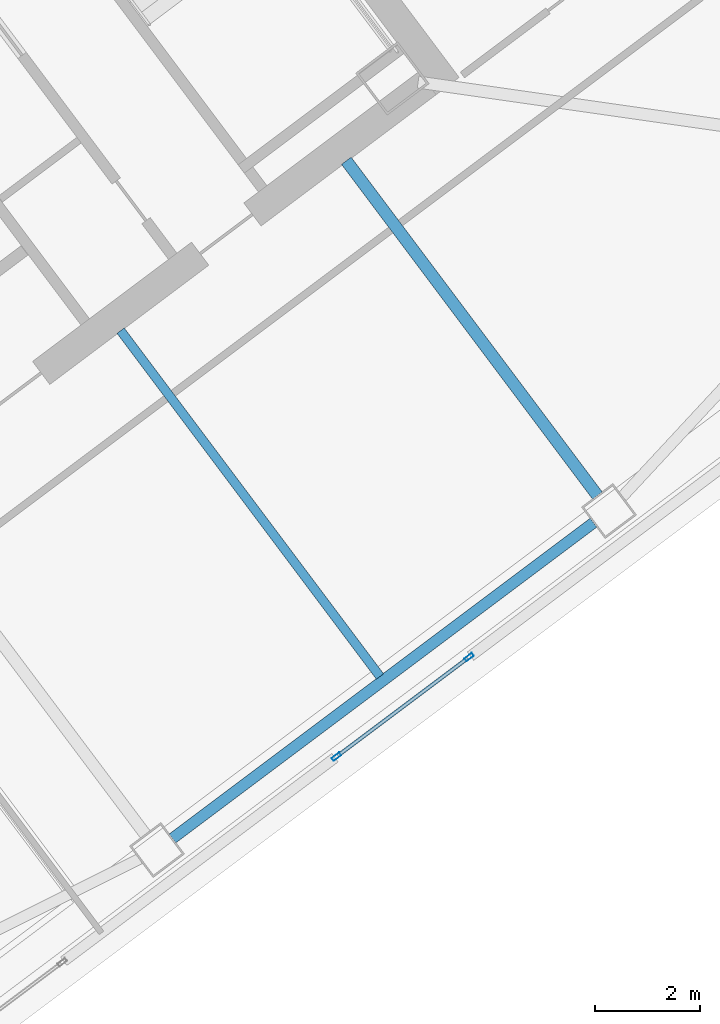
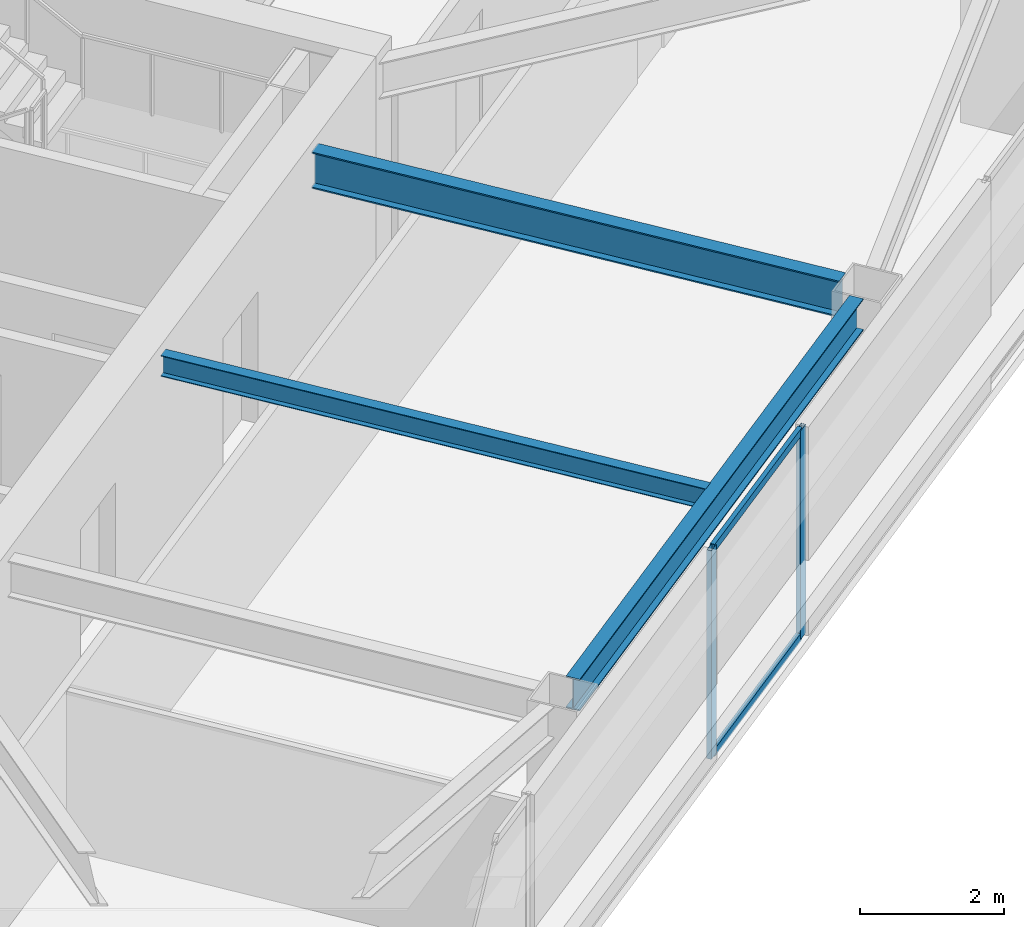
# One storey, part 25 of 44: 4 members, 3 beams, 1 element without a shape of its own.
"""IFC4 building model written with IfcOpenShell, lengths in metres."""

from ifc_helpers import new_model, si_unit, direction, frame, origin, origin_2d, place, context, subcontext, project, spatial, hollow_rectangle, i_section, extrude, material, material_profile, profile_set, type_object, element, aggregate, save


model = new_model("IFC4")

# Units and contexts
model_context = context("Model", 3, precision=1e-05, world=origin(), true_north=direction((0.0, 1.0)))
body_context = subcontext(model_context, "Body", "Model", "MODEL_VIEW")
ifc_project = project(units=[si_unit("LENGTHUNIT", "METRE"), si_unit("AREAUNIT", "SQUARE_METRE"), si_unit("VOLUMEUNIT", "CUBIC_METRE"), si_unit("PLANEANGLEUNIT", "RADIAN"), si_unit("MASSUNIT", "GRAM", prefix="KILO")], contexts=[model_context])

# Site, building, storey
site_placement = place(None, origin())
site = spatial("IfcSite", under=ifc_project, at=site_placement, CompositionType="ELEMENT")
building_placement = place(site_placement, origin())
building = spatial("IfcBuilding", under=site, at=building_placement, Name="Tashvorn Skyway Center", CompositionType="ELEMENT")
storey_placement = place(building_placement, frame((0.0, 0.0, 181.85009765625)))
storey = spatial("IfcBuildingStorey", under=building, at=storey_placement, Name="L49", CompositionType="ELEMENT", Elevation=181.85009765625)

# Beams
ifc_material_1 = material(Name="Steel ASTM A992 Grade 50", Category="steel")
ifc_material_profile_1 = material_profile(ifc_material_1, i_section(OverallWidth=0.22998046875, OverallDepth=0.616943359375, WebThickness=0.01318359375, FlangeThickness=0.022216796875, at=origin_2d()), Name="W24X94")
ifc_profile_set_1 = profile_set([ifc_material_profile_1], Name="Steel ASTM A992 Grade 50")
beam_type_1 = type_object("IfcBeamType", Name="BM-BEAM-W24X94", PredefinedType="BEAM", material=ifc_profile_set_1)
beam_1_placement = place(storey_placement, frame((127.7880859375, 22.615966796875, 3.0615234375), z_axis=(-0.599995117266, 0.800003662027, 0.0), x_axis=(-0.800003662027, -0.599995117266, 0.0)))
element("IfcBeam", 1, at=beam_1_placement, inside=storey, type_object=beam_type_1, Name="Tower 2 L49 Primary Floor Girder FC-S2", PredefinedType="BEAM", context=body_context, shape_type="SweptSolid", body=[
    extrude(i_section(OverallWidth=0.22998046875, OverallDepth=0.616943359375, WebThickness=0.01318359375, FlangeThickness=0.022216796875, at=origin_2d()), origin(), (0.0, 0.0, 1.0), 8.000244140625),
])
ifc_material_profile_2 = material_profile(ifc_material_1, i_section(OverallWidth=0.1708984375, OverallDepth=0.35498046875, WebThickness=0.007080078125, FlangeThickness=0.01171875, at=origin_2d()), Name="W14X34")
ifc_profile_set_2 = profile_set([ifc_material_profile_2], Name="Steel ASTM A992 Grade 50")
beam_type_2 = type_object("IfcBeamType", Name="BM-JOIST-W14X34", PredefinedType="JOIST", material=ifc_profile_set_2)
beam_2_placement = place(storey_placement, frame((118.674072265625, 25.76806640625, 3.1923828125), z_axis=(0.59999527236, -0.800003545708, 0.0), x_axis=(0.800003545708, 0.59999527236, 0.0)))
element("IfcBeam", 2, at=beam_2_placement, inside=storey, type_object=beam_type_2, Name="Tower 2 L49 Secondary Composite Joist JS", PredefinedType="JOIST", context=body_context, shape_type="SweptSolid", body=[
    extrude(i_section(OverallWidth=0.1708984375, OverallDepth=0.35498046875, WebThickness=0.007080078125, FlangeThickness=0.01171875, at=origin_2d()), origin(), (0.0, 0.0, 1.0), 8.2626953125),
])
ifc_material_profile_3 = material_profile(ifc_material_1, i_section(OverallWidth=0.2109375, OverallDepth=0.5390625, WebThickness=0.01171875, FlangeThickness=0.018798828125, at=origin_2d()), Name="W21X73")
ifc_profile_set_3 = profile_set([ifc_material_profile_3], Name="Steel ASTM A992 Grade 50")
beam_type_3 = type_object("IfcBeamType", Name="BM-SPANDREL-W21X73", PredefinedType="SPANDREL", material=ifc_profile_set_3)
beam_3_placement = place(storey_placement, frame((119.666015625, 16.06201171875, 3.100341796875), z_axis=(0.800008736549, 0.599988351091, 0.0), x_axis=(-0.599988351091, 0.800008736549, 0.0)))
element("IfcBeam", 3, at=beam_3_placement, inside=storey, type_object=beam_type_3, Name="Tower 2 L49 Spandrel Beam 02", PredefinedType="SPANDREL", context=body_context, shape_type="SweptSolid", body=[
    extrude(i_section(OverallWidth=0.2109375, OverallDepth=0.5390625, WebThickness=0.01171875, FlangeThickness=0.018798828125, at=origin_2d()), origin(), (0.0, 0.0, 1.0), 10.06005859375),
])

# Curtain wall, members
ifc_material_2 = material(Name="Thermally broken bronze-anodized aluminium 6063-T6", Category="aluminium")
curtain_wall_type = type_object("IfcCurtainWallType", Name="CW-CW-Z4", PredefinedType="NOTDEFINED", material=ifc_material_2)
curtain_wall_placement = place(storey_placement, origin())
curtain_wall = element("IfcCurtainWall", 4, at=curtain_wall_placement, inside=storey, type_object=curtain_wall_type, Name="Tower 2 L49 South Unitised Curtain Wall Glazing Group 2", PredefinedType="NOTDEFINED")
ifc_material_profile_4 = material_profile(ifc_material_2, hollow_rectangle(XDim=0.070068359375, YDim=0.179931640625, WallThickness=0.00390625, at=origin_2d()), Name="ALU-MULL-70x180")
ifc_profile_set_4 = profile_set([ifc_material_profile_4], Name="Thermally broken bronze-anodized aluminium 6063-T6")
member_type_1 = type_object("IfcMemberType", Name="CWM-CW-Z4", PredefinedType="MULLION", material=ifc_profile_set_4)
member_1_placement = place(storey_placement, frame((125.3359375, 19.527099609375, 0.0), z_axis=(0.0, 0.0, 1.0), x_axis=(0.600000000002, -0.799999999998, 0.0)))
member_1 = element("IfcMember", 5, at=member_1_placement, type_object=member_type_1, Name="CW-Z4 mullion 1", PredefinedType="MULLION", context=body_context, shape_type="SweptSolid", body=[
    extrude(hollow_rectangle(XDim=0.070068359375, YDim=0.179931640625, WallThickness=0.00390625, at=origin_2d()), origin(), (0.0, 0.0, 1.0), 3.5498046875),
])
member_2_placement = place(storey_placement, frame((122.800048828125, 17.625, 0.0), z_axis=(0.0, 0.0, 1.0), x_axis=(0.600000000002, -0.799999999998, 0.0)))
member_2 = element("IfcMember", 6, at=member_2_placement, type_object=member_type_1, Name="CW-Z4 mullion 2", PredefinedType="MULLION", context=body_context, shape_type="SweptSolid", body=[
    extrude(hollow_rectangle(XDim=0.070068359375, YDim=0.179931640625, WallThickness=0.00390625, at=origin_2d()), origin(), (0.0, 0.0, 1.0), 3.5498046875),
])
ifc_material_profile_5 = material_profile(ifc_material_2, hollow_rectangle(XDim=0.070068359375, YDim=0.1298828125, WallThickness=0.00390625, at=origin_2d()), Name="ALU-TRAN-70x130")
ifc_profile_set_5 = profile_set([ifc_material_profile_5], Name="Thermally broken bronze-anodized aluminium 6063-T6")
member_type_2 = type_object("IfcMemberType", Name="CWT-CW-Z4", PredefinedType="USERDEFINED", material=ifc_profile_set_5)
member_3_placement = place(storey_placement, frame((125.30810546875, 19.506103515625, 0.034912109375), z_axis=(-0.800009449761, -0.599987400111, 0.0), x_axis=(0.599987400111, -0.800009449761, 0.0)))
member_3 = element("IfcMember", 7, at=member_3_placement, type_object=member_type_2, Name="CW-Z4 transom 1.1", ObjectType="TRANSOM", PredefinedType="USERDEFINED", context=body_context, shape_type="SweptSolid", body=[
    extrude(hollow_rectangle(XDim=0.070068359375, YDim=0.1298828125, WallThickness=0.00390625, at=origin_2d()), origin(), (0.0, 0.0, 1.0), 3.100341796875),
])
member_4_placement = place(storey_placement, frame((125.30810546875, 19.506103515625, 3.514892578125), z_axis=(-0.800009449761, -0.599987400111, 0.0), x_axis=(0.599987400111, -0.800009449761, 0.0)))
member_4 = element("IfcMember", 8, at=member_4_placement, type_object=member_type_2, Name="CW-Z4 transom 1.2", ObjectType="TRANSOM", PredefinedType="USERDEFINED", context=body_context, shape_type="SweptSolid", body=[
    extrude(hollow_rectangle(XDim=0.070068359375, YDim=0.1298828125, WallThickness=0.00390625, at=origin_2d()), origin(), (0.0, 0.0, 1.0), 3.100341796875),
])
aggregate(curtain_wall, [member_1, member_2, member_3, member_4])

save(model, "model.ifc")
